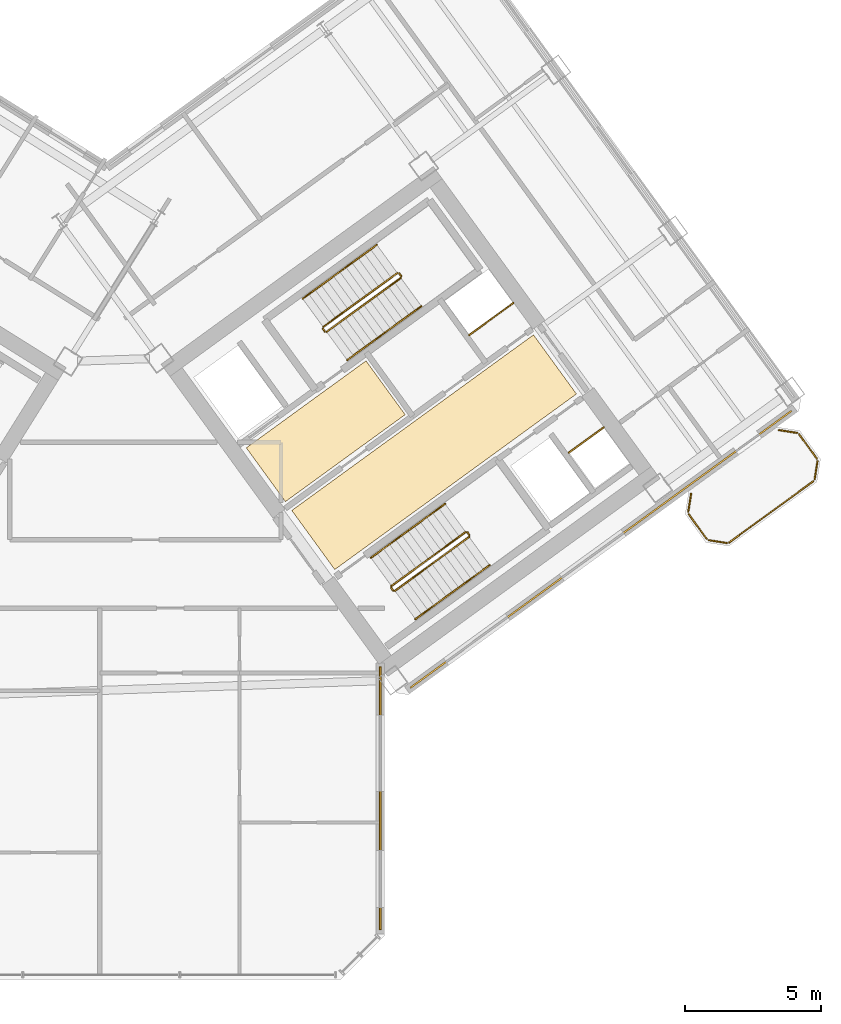
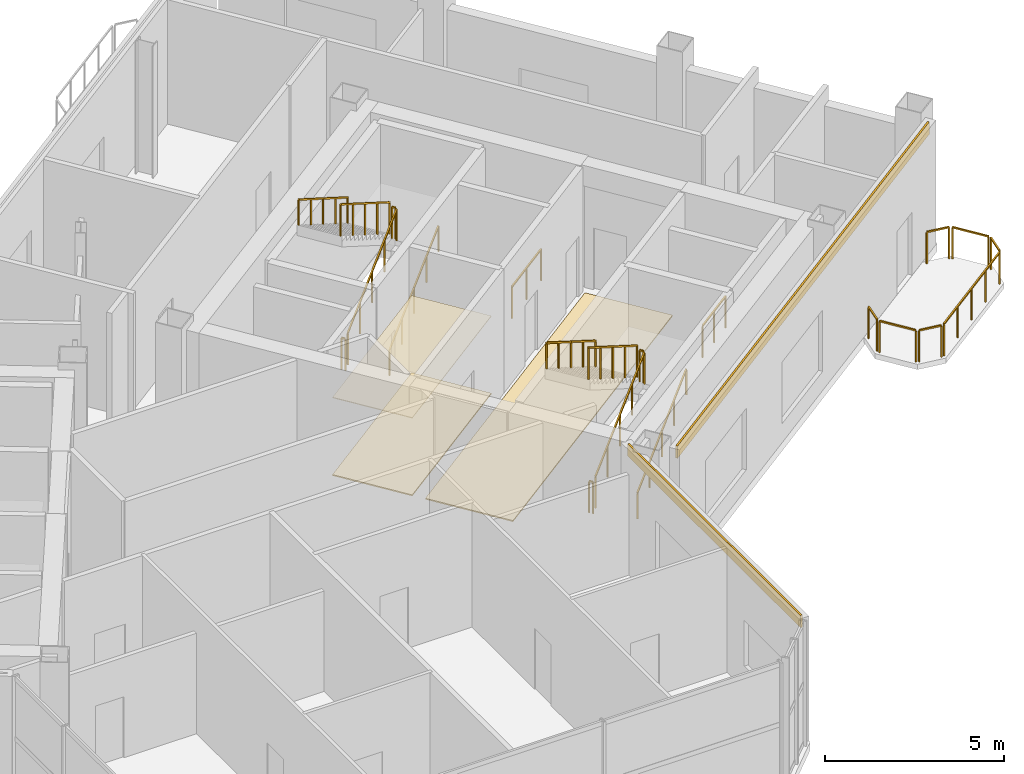
# One storey, part 20 of 21: 25 railings, 5 coverings.
"""IFC4 building model written with IfcOpenShell, lengths in metres."""

import ifcopenshell
import ifcopenshell.guid

model = None  # the IFC model being written
_history = None  # IfcOwnerHistory: only IFC2X3 demands one
_inside = {}  # id of a spatial element -> (the spatial element, [elements in it])
_under = {}  # id of a project, library or spatial element -> (it, [spatial elements below it])
_declared = {}  # id of a project -> (the project, [libraries it declares])
_typed = {}  # id of a type object -> (the type object, [elements of that type])
_made_of = {}  # id of a material, layer set ... -> (it, [elements and type objects made of it])


def new_model(schema):
    """Start an empty IFC model of exactly this schema.

    Asked for "IFC4X3", IfcOpenShell would pick the latest addendum, in which some entities
    have other attributes; the version numbers below select the first issue.
    IFC2X3 requires an IfcOwnerHistory on every rooted entity: one is made here for all.
    """
    global model, _history
    if schema == "IFC4X3":
        model = ifcopenshell.file(schema_version=(4, 3, 0, 0))
    else:
        model = ifcopenshell.file(schema=schema)
    _inside.clear()
    _under.clear()
    _declared.clear()
    _typed.clear()
    _made_of.clear()
    _history = None
    if model.schema == "IFC2X3":
        org = make("IfcOrganization", Name="unknown")
        user = make(
            "IfcPersonAndOrganization",
            ThePerson=make("IfcPerson", FamilyName="unknown"),
            TheOrganization=org,
        )
        app = make(
            "IfcApplication",
            ApplicationDeveloper=org,
            Version="unknown",
            ApplicationFullName="unknown",
            ApplicationIdentifier="unknown",
        )
        _history = make(
            "IfcOwnerHistory",
            OwningUser=user,
            OwningApplication=app,
            ChangeAction="ADDED",
            CreationDate=0,
        )
    return model


def make(cls, **values):
    """One entity of the class cls with the attributes given. An attribute that is None is left unset."""
    return model.create_entity(
        cls, **{name: value for name, value in values.items() if value is not None}
    )


def rooted(cls, **values):
    """An entity with a GlobalId (a new one), such as an element, a storey or a relation."""
    return make(cls, GlobalId=ifcopenshell.guid.new(), OwnerHistory=_history, **values)


def si_unit(unit_type, name, prefix=None):
    """IfcSIUnit, for example si_unit("LENGTHUNIT", "METRE", prefix="MILLI")."""
    return make("IfcSIUnit", UnitType=unit_type, Prefix=prefix, Name=name)


def assignment(units):
    """IfcUnitAssignment: the units of a project."""
    return None if units is None else make("IfcUnitAssignment", Units=units)


def point(xyz):
    """IfcCartesianPoint."""
    return None if xyz is None else make("IfcCartesianPoint", Coordinates=xyz)


def direction(xyz):
    """IfcDirection."""
    return None if xyz is None else make("IfcDirection", DirectionRatios=xyz)


def frame(location, z_axis=None, x_axis=None):
    """IfcAxis2Placement3D, a coordinate frame: its origin and axes. An axis left out is left unset."""
    return make(
        "IfcAxis2Placement3D",
        Location=point(location),
        Axis=direction(z_axis),
        RefDirection=direction(x_axis),
    )


def frame_2d(location, x_axis=None):
    """IfcAxis2Placement2D, a coordinate frame in the plane: its origin and x axis."""
    return make(
        "IfcAxis2Placement2D", Location=point(location), RefDirection=direction(x_axis)
    )


def origin():
    """The frame at (0, 0, 0) with its axes left unset."""
    return frame((0.0, 0.0, 0.0))


def origin_2d():
    """The frame at (0, 0) in the plane with its x axis left unset."""
    return frame_2d((0.0, 0.0))


def place(relative_to, where):
    """IfcLocalPlacement: puts the frame where relative to a parent placement (None: the world)."""
    return make(
        "IfcLocalPlacement", PlacementRelTo=relative_to, RelativePlacement=where
    )


def context(
    kind, dimensions, precision=None, world=None, true_north=None, identifier=None
):
    """IfcGeometricRepresentationContext, for example the 3D "Model" context."""
    return make(
        "IfcGeometricRepresentationContext",
        ContextIdentifier=identifier,
        ContextType=kind,
        CoordinateSpaceDimension=dimensions,
        Precision=precision,
        WorldCoordinateSystem=world,
        TrueNorth=true_north,
    )


def subcontext(parent, identifier, kind, view, scale=None):
    """IfcGeometricRepresentationSubContext, for example "Body" below "Model"."""
    return make(
        "IfcGeometricRepresentationSubContext",
        ContextIdentifier=identifier,
        ContextType=kind,
        ParentContext=parent,
        TargetScale=scale,
        TargetView=view,
    )


def project(units=None, contexts=None):
    """IfcProject with its units and contexts."""
    return rooted(
        "IfcProject",
        Name="project",
        RepresentationContexts=contexts,
        UnitsInContext=assignment(units),
    )


def spatial(cls, under=None, at=None, **own):
    """A site, building, storey or space (cls), placed at a placement, below another one or the project."""
    s = rooted(cls, ObjectPlacement=at, **own)
    if under is not None:
        _under.setdefault(under.id(), (under, []))[1].append(s)
    return s


def polyline(points):
    """IfcPolyline through the points."""
    return make("IfcPolyline", Points=[point(p) for p in points])


def profile(cls, at=None, kind="AREA", **sizes):
    """A parametric profile (cls). Its sizes go by their IFC names, for example OverallWidth=200.0."""
    return make(cls, ProfileType=kind, Position=at, **sizes)


def rectangle(**sizes):
    """IfcRectangleProfileDef."""
    return profile("IfcRectangleProfileDef", **sizes)


def outline(outer, holes=None, kind="AREA"):
    """IfcArbitraryClosedProfileDef: a profile drawn as a closed curve; with holes, ...WithVoids."""
    if holes is None:
        return make("IfcArbitraryClosedProfileDef", ProfileType=kind, OuterCurve=outer)
    return make(
        "IfcArbitraryProfileDefWithVoids",
        ProfileType=kind,
        OuterCurve=outer,
        InnerCurves=holes,
    )


def extrude(swept, where, along, depth):
    """IfcExtrudedAreaSolid: the profile swept, set in the frame where, extruded along a direction by depth."""
    return make(
        "IfcExtrudedAreaSolid",
        SweptArea=swept,
        Position=where,
        ExtrudedDirection=direction(along),
        Depth=depth,
    )


def shape(context_of_items, identifier, shape_type, items):
    """IfcShapeRepresentation: the items that make up one representation, for example the "Body"."""
    return make(
        "IfcShapeRepresentation",
        ContextOfItems=context_of_items,
        RepresentationIdentifier=identifier,
        RepresentationType=shape_type,
        Items=items,
    )


def source(mapping_origin, context_of_items, identifier, shape_type, items):
    """IfcRepresentationMap: a shape defined once, which mapped items show again and again."""
    return make(
        "IfcRepresentationMap",
        MappingOrigin=mapping_origin,
        MappedRepresentation=shape(context_of_items, identifier, shape_type, items),
    )


def transform(
    local_origin,
    x_axis=None,
    y_axis=None,
    z_axis=None,
    scale=None,
    scale2=None,
    scale3=None,
    uniform=True,
):
    """IfcCartesianTransformationOperator3D, or its non-uniform kind. x_axis, y_axis, z_axis: its Axis1, 2, 3."""
    if uniform:
        return make(
            "IfcCartesianTransformationOperator3D",
            Axis1=direction(x_axis),
            Axis2=direction(y_axis),
            LocalOrigin=point(local_origin),
            Scale=scale,
            Axis3=direction(z_axis),
        )
    return make(
        "IfcCartesianTransformationOperator3DnonUniform",
        Axis1=direction(x_axis),
        Axis2=direction(y_axis),
        LocalOrigin=point(local_origin),
        Scale=scale,
        Axis3=direction(z_axis),
        Scale2=scale2,
        Scale3=scale3,
    )


def mapped(mapping_source, mapping_target):
    """IfcMappedItem: shows the shape of a source again, moved by a transform."""
    return make(
        "IfcMappedItem", MappingSource=mapping_source, MappingTarget=mapping_target
    )


def material(Name=None, Category=None):
    """IfcMaterial."""
    return make("IfcMaterial", Name=Name, Category=Category)


def layer(
    of_material, thickness, ventilated=None, Name=None, Category=None, Priority=None
):
    """IfcMaterialLayer: one layer of a wall or slab, of a material (None: an air gap)."""
    return make(
        "IfcMaterialLayer",
        Material=of_material,
        LayerThickness=thickness,
        IsVentilated=ventilated,
        Name=Name,
        Category=Category,
        Priority=Priority,
    )


def layer_set(layers, Name=None):
    """IfcMaterialLayerSet."""
    return make("IfcMaterialLayerSet", MaterialLayers=layers, LayerSetName=Name)


def made_of(thing, what):
    """Note that an element or type object is made of a material, layer set ...; save() writes the relation."""
    if what is not None:
        _made_of.setdefault(what.id(), (what, []))[1].append(thing)
    return thing


def type_object(cls, material=None, **own):
    """A type object (cls), such as IfcWallType, which elements share."""
    return made_of(rooted(cls, **own), material)


def element(
    cls,
    number,
    at=None,
    inside=None,
    cuts=None,
    type_object=None,
    material=None,
    context=None,
    identifier="Body",
    shape_type=None,
    held_by="IfcProductDefinitionShape",
    body=None,
    shapes=None,
    **own,
):
    """One element of the class cls, such as IfcWall. Its Tag is "e" and its number.

    at: its placement. inside: the storey or other place that contains it. cuts: it is an
    opening in that element (IfcRelVoidsElement). A single representation is given by context,
    identifier, shape_type and body (its items); several are given by shapes. held_by: the class
    of the entity that holds the representations. save() writes the other relations.
    """
    e = rooted(cls, Tag="e%d" % number, ObjectPlacement=at, **own)
    if body is not None:
        shapes = [shape(context, identifier, shape_type, body)]
    if shapes is not None:
        e.Representation = make(held_by, Representations=shapes)
    if inside is not None:
        _inside.setdefault(inside.id(), (inside, []))[1].append(e)
    if cuts is not None:
        rooted(
            "IfcRelVoidsElement", RelatingBuildingElement=cuts, RelatedOpeningElement=e
        )
    if type_object is not None:
        _typed.setdefault(type_object.id(), (type_object, []))[1].append(e)
    return made_of(e, material)


def aggregate(whole, parts):
    """IfcRelAggregates: a whole, such as a stair, and the parts it consists of."""
    return rooted("IfcRelAggregates", RelatingObject=whole, RelatedObjects=parts)


def save(model, path):
    """Write the relations noted so far, then the file.

    IfcRelAggregates (storeys below a building ...), IfcRelContainedInSpatialStructure (elements
    in a storey), IfcRelDefinesByType, IfcRelAssociatesMaterial and IfcRelDeclares: one each for
    every whole, place, type object, material and project.
    """
    for whole, parts in _under.values():
        aggregate(whole, parts)
    for where, things in _inside.values():
        rooted(
            "IfcRelContainedInSpatialStructure",
            RelatedElements=things,
            RelatingStructure=where,
        )
    for kind, things in _typed.values():
        rooted("IfcRelDefinesByType", RelatedObjects=things, RelatingType=kind)
    for what, things in _made_of.values():
        rooted("IfcRelAssociatesMaterial", RelatedObjects=things, RelatingMaterial=what)
    for by, libraries in _declared.values():
        rooted("IfcRelDeclares", RelatingContext=by, RelatedDefinitions=libraries)
    model.write(path)


model = new_model("IFC4")

# Units and contexts
model_context = context("Model", 3, precision=1e-05, world=origin(), true_north=direction((0.0, 1.0)))
body_context = subcontext(model_context, "Body", "Model", "MODEL_VIEW")
ifc_project = project(units=[si_unit("LENGTHUNIT", "METRE"), si_unit("AREAUNIT", "SQUARE_METRE"), si_unit("VOLUMEUNIT", "CUBIC_METRE"), si_unit("PLANEANGLEUNIT", "RADIAN"), si_unit("MASSUNIT", "GRAM", prefix="KILO")], contexts=[model_context])

# Site, building, storey
site_placement = place(None, origin())
site = spatial("IfcSite", under=ifc_project, at=site_placement, CompositionType="ELEMENT")
building_placement = place(site_placement, origin())
building = spatial("IfcBuilding", under=site, at=building_placement, Name="Tlacorven Tower", CompositionType="ELEMENT")
storey_placement = place(building_placement, frame((0.0, 0.0, 199.5)))
storey = spatial("IfcBuildingStorey", under=building, at=storey_placement, Name="L50", CompositionType="ELEMENT", Elevation=199.5)

# Coverings
ifc_material_1 = material(Name="Acoustic mineral-fibre ceiling")
ifc_layer_1 = layer(ifc_material_1, 0.02490234375)
ifc_layer_set_1 = layer_set([ifc_layer_1], Name="Acoustic mineral-fibre ceiling")
covering_type_1 = type_object("IfcCoveringType", Name="CV-CLG-ACST", PredefinedType="CEILING", material=ifc_layer_set_1)
covering_1_placement = place(storey_placement, frame((0.0, 0.0, 2.64990234375)))
element("IfcCovering", 1, at=covering_1_placement, inside=storey, type_object=covering_type_1, Name="L50 Acoustic Suspended Ceiling 3", PredefinedType="CEILING", context=body_context, shape_type="SweptSolid", body=[
    extrude(outline(polyline([(48.760498046875, 19.326171875), (47.326171875, 21.300048828125), (51.71923828125, 24.49169921875), (53.1533203125, 22.517822265625), (48.760498046875, 19.326171875)])), origin(), (0.0, 0.0, 1.0), 0.025146484375),
])
ifc_material_2 = material(Name="Terrazzo and ceramic flooring")
ifc_layer_2 = layer(ifc_material_2, 0.0400390625)
ifc_layer_set_2 = layer_set([ifc_layer_2], Name="Terrazzo and ceramic flooring")
covering_type_2 = type_object("IfcCoveringType", Name="CV-FLR-TERZ", PredefinedType="FLOORING", material=ifc_layer_set_2)
covering_2_placement = place(storey_placement, origin())
element("IfcCovering", 2, at=covering_2_placement, inside=storey, type_object=covering_type_2, Name="L50 Terrazzo Floor Finish 3", PredefinedType="FLOORING", context=body_context, shape_type="SweptSolid", body=[
    extrude(outline(polyline([(48.760498046875, 19.326171875), (47.326171875, 21.300048828125), (51.71923828125, 24.49169921875), (53.1533203125, 22.517822265625), (48.760498046875, 19.326171875)])), origin(), (0.0, 0.0, 1.0), 0.0400390625),
])
covering_3_placement = place(storey_placement, origin())
element("IfcCovering", 3, at=covering_3_placement, inside=storey, type_object=covering_type_2, Name="L50 Terrazzo Floor Finish 4", PredefinedType="FLOORING", context=body_context, shape_type="SweptSolid", body=[
    extrude(outline(polyline([(50.57080078125, 16.834228515625), (48.99560546875, 19.00244140625), (57.8623046875, 25.444580078125), (59.437744140625, 23.2763671875), (50.57080078125, 16.834228515625)])), origin(), (0.0, 0.0, 1.0), 0.0400390625),
])

# Railings
ifc_material_3 = material(Name="Aluminium and painted steel balustrade", Category="steel")
railing_type_1 = type_object("IfcRailingType", Name="RL-GRD-1100", PredefinedType="GUARDRAIL", material=ifc_material_3)
shared_shape_1 = source(origin(), body_context, "Body", "SweptSolid", [
    extrude(rectangle(XDim=0.048095703125, YDim=0.048095703125, at=origin_2d()), frame((0.0, 0.0, 1.076171875), z_axis=(0.808947177504, 0.587881334972, 0.0), x_axis=(-0.587881334972, 0.808947177504, 0.0)), (0.0, 0.0, 1.0), 2.0),
    extrude(rectangle(XDim=0.0419921875, YDim=0.0419921875, at=origin_2d()), origin(), (0.0, 0.0, 1.0), 1.052001953125),
    extrude(rectangle(XDim=0.0419921875, YDim=0.0419921875, at=origin_2d()), frame((0.80908203125, 0.587890625, 0.0)), (0.0, 0.0, 1.0), 1.052001953125),
    extrude(rectangle(XDim=0.0419921875, YDim=0.0419921875, at=origin_2d()), frame((1.617919921875, 1.17578125, 0.0)), (0.0, 0.0, 1.0), 1.052001953125),
])
railing_1_placement = place(storey_placement, frame((55.506103515625, 25.438232421875, 0.0)))
element("IfcRailing", 4, at=railing_1_placement, inside=storey, type_object=railing_type_1, Name="L50 Electrical Riser E Shaft Guard 1", PredefinedType="GUARDRAIL", context=body_context, shape_type="MappedRepresentation", body=[
    mapped(shared_shape_1, transform((0.0, 0.0, 0.0), scale=1.0)),
])
shared_shape_2 = source(origin(), body_context, "Body", "SweptSolid", [
    extrude(rectangle(XDim=0.048095703125, YDim=0.048095703125, at=origin_2d()), frame((0.0, 0.0, 1.076171875), z_axis=(0.809029975545, 0.58776738483, 0.0), x_axis=(-0.58776738483, 0.809029975545, 0.0)), (0.0, 0.0, 1.0), 1.580078125),
    extrude(rectangle(XDim=0.0419921875, YDim=0.0419921875, at=origin_2d()), origin(), (0.0, 0.0, 1.0), 1.052001953125),
    extrude(rectangle(XDim=0.0419921875, YDim=0.0419921875, at=origin_2d()), frame((0.63916015625, 0.46435546875, 0.0)), (0.0, 0.0, 1.0), 1.052001953125),
    extrude(rectangle(XDim=0.0419921875, YDim=0.0419921875, at=origin_2d()), frame((1.2783203125, 0.9287109375, 0.0)), (0.0, 0.0, 1.0), 1.052001953125),
])
railing_2_placement = place(storey_placement, frame((59.160888671875, 21.122314453125, 0.0)))
element("IfcRailing", 5, at=railing_2_placement, inside=storey, type_object=railing_type_1, Name="L50 Smoke Riser E Shaft Guard 1", PredefinedType="GUARDRAIL", context=body_context, shape_type="MappedRepresentation", body=[
    mapped(shared_shape_2, transform((0.0, 0.0, 0.0), scale=1.0)),
])
railing_type_2 = type_object("IfcRailingType", Name="RL-BAL-1100", PredefinedType="BALUSTRADE", material=ifc_material_3)
shared_shape_3 = source(origin(), body_context, "Body", "SweptSolid", [
    extrude(rectangle(XDim=0.048095703125, YDim=0.048095703125, at=origin_2d()), frame((0.0, 0.0, 1.076171875), z_axis=(0.156602868908, 0.987661653326, 0.0), x_axis=(-0.987661653326, 0.156602868908, 0.0)), (0.0, 0.0, 1.0), 0.665771484375),
    extrude(rectangle(XDim=0.0419921875, YDim=0.0419921875, at=origin_2d()), origin(), (0.0, 0.0, 1.0), 1.052001953125),
    extrude(rectangle(XDim=0.0419921875, YDim=0.0419921875, at=origin_2d()), frame((0.104248046875, 0.657470703125, 0.0)), (0.0, 0.0, 1.0), 1.052001953125),
])
railing_3_placement = place(storey_placement, frame((63.539306640625, 18.949951171875, 0.0)))
element("IfcRailing", 6, at=railing_3_placement, inside=storey, type_object=railing_type_2, Name="BAL-L50-E-OUT Guard Railing 3", PredefinedType="BALUSTRADE", context=body_context, shape_type="MappedRepresentation", body=[
    mapped(shared_shape_3, transform((0.0, 0.0, 0.0), scale=1.0)),
])
shared_shape_4 = source(origin(), body_context, "Body", "SweptSolid", [
    extrude(rectangle(XDim=0.048095703125, YDim=0.048095703125, at=origin_2d()), frame((0.0, 0.0, 1.076171875), z_axis=(0.58788449985, -0.808944877501, 0.0), x_axis=(0.808944877501, 0.58788449985, 0.0)), (0.0, 0.0, 1.0), 1.112060546875),
    extrude(rectangle(XDim=0.0419921875, YDim=0.0419921875, at=origin_2d()), origin(), (0.0, 0.0, 1.0), 1.052001953125),
    extrude(rectangle(XDim=0.0419921875, YDim=0.0419921875, at=origin_2d()), frame((0.65380859375, -0.899658203125, 0.0)), (0.0, 0.0, 1.0), 1.052001953125),
])
railing_4_placement = place(storey_placement, frame((67.60595703125, 21.799072265625, 0.0)))
element("IfcRailing", 7, at=railing_4_placement, inside=storey, type_object=railing_type_2, Name="BAL-L50-E-OUT Guard Railing 5", PredefinedType="BALUSTRADE", context=body_context, shape_type="MappedRepresentation", body=[
    mapped(shared_shape_4, transform((0.0, 0.0, 0.0), scale=1.0)),
])
shared_shape_5 = source(origin(), body_context, "Body", "SweptSolid", [
    extrude(rectangle(XDim=0.048095703125, YDim=0.048095703125, at=origin_2d()), frame((0.0, 0.0, 1.076171875), z_axis=(-0.809018102573, -0.587783726986, 0.0), x_axis=(0.587783726986, -0.809018102573, 0.0)), (0.0, 0.0, 1.0), 3.817138671875),
    extrude(rectangle(XDim=0.0419921875, YDim=0.0419921875, at=origin_2d()), origin(), (0.0, 0.0, 1.0), 1.052001953125),
    extrude(rectangle(XDim=0.0419921875, YDim=0.0419921875, at=origin_2d()), frame((-0.77197265625, -0.56103515625, 0.0)), (0.0, 0.0, 1.0), 1.052001953125),
    extrude(rectangle(XDim=0.0419921875, YDim=0.0419921875, at=origin_2d()), frame((-1.5439453125, -1.121826171875, 0.0)), (0.0, 0.0, 1.0), 1.052001953125),
    extrude(rectangle(XDim=0.0419921875, YDim=0.0419921875, at=origin_2d()), frame((-2.316162109375, -1.6826171875, 0.0)), (0.0, 0.0, 1.0), 1.052001953125),
    extrude(rectangle(XDim=0.0419921875, YDim=0.0419921875, at=origin_2d()), frame((-3.088134765625, -2.24365234375, 0.0)), (0.0, 0.0, 1.0), 1.052001953125),
])
railing_5_placement = place(storey_placement, frame((68.12890625, 20.0732421875, 0.0)))
element("IfcRailing", 8, at=railing_5_placement, inside=storey, type_object=railing_type_2, Name="BAL-L50-E-OUT Guard Railing 7", PredefinedType="BALUSTRADE", context=body_context, shape_type="MappedRepresentation", body=[
    mapped(shared_shape_5, transform((0.0, 0.0, 0.0), scale=1.0)),
])
shared_shape_6 = source(origin(), body_context, "Body", "SweptSolid", [
    extrude(rectangle(XDim=0.048095703125, YDim=0.048095703125, at=origin_2d()), frame((0.0, 0.0, 1.076171875), z_axis=(-0.987718317463, 0.156245081039, 0.0), x_axis=(-0.156245081039, -0.987718317463, 0.0)), (0.0, 0.0, 1.0), 0.66552734375),
    extrude(rectangle(XDim=0.0419921875, YDim=0.0419921875, at=origin_2d()), origin(), (0.0, 0.0, 1.0), 1.052001953125),
    extrude(rectangle(XDim=0.0419921875, YDim=0.0419921875, at=origin_2d()), frame((-0.657470703125, 0.10400390625, 0.0)), (0.0, 0.0, 1.0), 1.052001953125),
])
railing_6_placement = place(storey_placement, frame((64.950927734375, 17.80810546875, 0.0)))
element("IfcRailing", 9, at=railing_6_placement, inside=storey, type_object=railing_type_2, Name="BAL-L50-E-OUT Guard Railing 1", PredefinedType="BALUSTRADE", context=body_context, shape_type="MappedRepresentation", body=[
    mapped(shared_shape_6, transform((0.0, 0.0, 0.0), scale=1.0)),
])
shared_shape_7 = source(origin(), body_context, "Body", "SweptSolid", [
    extrude(rectangle(XDim=0.048095703125, YDim=0.048095703125, at=origin_2d()), frame((0.0, 0.0, 1.076171875), z_axis=(-0.587740817519, 0.809049276263, 0.0), x_axis=(-0.809049276263, -0.587740817519, 0.0)), (0.0, 0.0, 1.0), 1.112060546875),
    extrude(rectangle(XDim=0.0419921875, YDim=0.0419921875, at=origin_2d()), origin(), (0.0, 0.0, 1.0), 1.052001953125),
    extrude(rectangle(XDim=0.0419921875, YDim=0.0419921875, at=origin_2d()), frame((-0.653564453125, 0.899658203125, 0.0)), (0.0, 0.0, 1.0), 1.052001953125),
])
railing_7_placement = place(storey_placement, frame((64.214599609375, 17.96044921875, 0.0)))
element("IfcRailing", 10, at=railing_7_placement, inside=storey, type_object=railing_type_2, Name="BAL-L50-E-OUT Guard Railing 2", PredefinedType="BALUSTRADE", context=body_context, shape_type="MappedRepresentation", body=[
    mapped(shared_shape_7, transform((0.0, 0.0, 0.0), scale=1.0)),
])
shared_shape_8 = source(origin(), body_context, "Body", "SweptSolid", [
    extrude(rectangle(XDim=0.048095703125, YDim=0.048095703125, at=origin_2d()), frame((0.0, 0.0, 1.076171875), z_axis=(-0.156245081039, -0.987718317463, 0.0), x_axis=(0.987718317463, -0.156245081039, 0.0)), (0.0, 0.0, 1.0), 0.66552734375),
    extrude(rectangle(XDim=0.0419921875, YDim=0.0419921875, at=origin_2d()), origin(), (0.0, 0.0, 1.0), 1.052001953125),
    extrude(rectangle(XDim=0.0419921875, YDim=0.0419921875, at=origin_2d()), frame((-0.10400390625, -0.657470703125, 0.0)), (0.0, 0.0, 1.0), 1.052001953125),
])
railing_8_placement = place(storey_placement, frame((68.28125, 20.8095703125, 0.0)))
element("IfcRailing", 11, at=railing_8_placement, inside=storey, type_object=railing_type_2, Name="BAL-L50-E-OUT Guard Railing 6", PredefinedType="BALUSTRADE", context=body_context, shape_type="MappedRepresentation", body=[
    mapped(shared_shape_8, transform((0.0, 0.0, 0.0), scale=1.0)),
])

# Covering
ifc_material_4 = material(Name="Precast concrete C45/55", Category="concrete")
ifc_layer_3 = layer(ifc_material_4, 0.06005859375)
ifc_layer_set_3 = layer_set([ifc_layer_3], Name="Precast concrete C45/55")
covering_type_3 = type_object("IfcCoveringType", Name="CV-CLD-TERC", PredefinedType="CLADDING", material=ifc_layer_set_3)
shared_shape_9 = source(origin(), body_context, "Body", "SweptSolid", [
    extrude(rectangle(XDim=17.287353515625, YDim=0.06005859375, at=origin_2d()), origin(), (0.0, 0.0, 1.0), 0.419921875),
])
covering_4_placement = place(storey_placement, frame((60.339111328125, 17.578125, 3.830078125), z_axis=(0.0, 0.0, 1.0), x_axis=(-0.809016829126, -0.587785479738, 0.0)))
element("IfcCovering", 12, at=covering_4_placement, inside=storey, type_object=covering_type_3, Name="L50 Masonry-Frame Spandrel Cladding 6", PredefinedType="CLADDING", context=body_context, shape_type="MappedRepresentation", body=[
    mapped(shared_shape_9, transform((0.0, 0.0, 0.0), scale=1.0)),
])

# Railing
shared_shape_10 = source(origin(), body_context, "Body", "SweptSolid", [
    extrude(rectangle(XDim=0.048095703125, YDim=0.048095703125, at=origin_2d()), frame((0.0, 0.0, 1.076171875), z_axis=(0.987727266442, -0.156188498702, 0.0), x_axis=(0.156188498702, 0.987727266442, 0.0)), (0.0, 0.0, 1.0), 0.665771484375),
    extrude(rectangle(XDim=0.0419921875, YDim=0.0419921875, at=origin_2d()), origin(), (0.0, 0.0, 1.0), 1.052001953125),
    extrude(rectangle(XDim=0.0419921875, YDim=0.0419921875, at=origin_2d()), frame((0.65771484375, -0.10400390625, 0.0)), (0.0, 0.0, 1.0), 1.052001953125),
])
railing_9_placement = place(storey_placement, frame((66.86962890625, 21.951416015625, 0.0)))
element("IfcRailing", 13, at=railing_9_placement, inside=storey, type_object=railing_type_2, Name="BAL-L50-E-OUT Guard Railing 4", PredefinedType="BALUSTRADE", context=body_context, shape_type="MappedRepresentation", body=[
    mapped(shared_shape_10, transform((0.0, 0.0, 0.0), scale=1.0)),
])

# Covering
shared_shape_11 = source(origin(), body_context, "Body", "SweptSolid", [
    extrude(rectangle(XDim=9.647705078125, YDim=0.06005859375, at=origin_2d()), origin(), (0.0, 0.0, 1.0), 0.419921875),
])
covering_5_placement = place(storey_placement, frame((52.239990234375, 8.440185546875, 3.830078125), z_axis=(0.0, 0.0, 1.0), x_axis=(0.0, -1.0, 0.0)))
element("IfcCovering", 14, at=covering_5_placement, inside=storey, type_object=covering_type_3, Name="L50 Masonry-Frame Spandrel Cladding 7", PredefinedType="CLADDING", context=body_context, shape_type="MappedRepresentation", body=[
    mapped(shared_shape_11, transform((0.0, 0.0, 0.0), scale=1.0)),
])

# Railings
shared_shape_12 = source(origin(), body_context, "Body", "SweptSolid", [
    extrude(rectangle(XDim=0.048095703125, YDim=0.048095703125, at=origin_2d()), frame((0.0, 0.0, 1.076171875), z_axis=(-0.587567097037, 0.809175448515, 0.0), x_axis=(-0.809175448515, -0.587567097037, 0.0)), (0.0, 0.0, 1.0), 0.1201171875),
    extrude(rectangle(XDim=0.0419921875, YDim=0.0419921875, at=origin_2d()), origin(), (0.0, 0.0, 1.0), 1.052001953125),
    extrude(rectangle(XDim=0.0419921875, YDim=0.0419921875, at=origin_2d()), frame((-0.070556640625, 0.09716796875, 0.0)), (0.0, 0.0, 1.0), 1.052001953125),
])
for number, where, name in (
    (15, (53.006591796875, 27.6025390625, 2.25), "L50 ST-E1 stair guard 2"),
    (16, (55.510498046875, 18.099365234375, 2.25), "L50 ST-E2 stair guard 2"),
    (17, (52.71142578125, 16.065673828125, 0.0), "L50 ST-E2 stair guard 4"),
):
    element("IfcRailing", number, at=place(storey_placement, frame(where)), inside=storey, type_object=railing_type_1, Name=name, PredefinedType="GUARDRAIL", context=body_context, shape_type="MappedRepresentation", body=[
        mapped(shared_shape_12, transform((0.0, 0.0, 0.0), scale=1.0)),
    ])
shared_shape_13 = source(origin(), body_context, "Body", "SweptSolid", [
    extrude(rectangle(XDim=0.048095703125, YDim=0.048095703125, at=origin_2d()), frame((0.0, 0.0, 1.076171875), z_axis=(-0.587201422542, 0.809440849824, 0.0), x_axis=(-0.809440849824, -0.587201422542, 0.0)), (0.0, 0.0, 1.0), 0.11962890625),
    extrude(rectangle(XDim=0.0419921875, YDim=0.0419921875, at=origin_2d()), origin(), (0.0, 0.0, 1.0), 1.052001953125),
    extrude(rectangle(XDim=0.0419921875, YDim=0.0419921875, at=origin_2d()), frame((-0.0703125, 0.096923828125, 0.0)), (0.0, 0.0, 1.0), 1.052001953125),
])
railing_10_placement = place(storey_placement, frame((50.207275390625, 25.56884765625, 0.0)))
element("IfcRailing", 18, at=railing_10_placement, inside=storey, type_object=railing_type_1, Name="L50 ST-E1 stair guard 4", PredefinedType="GUARDRAIL", context=body_context, shape_type="MappedRepresentation", body=[
    mapped(shared_shape_13, transform((0.0, 0.0, 0.0), scale=1.0)),
])
shared_shape_14 = source(origin(), body_context, "Body", "SweptSolid", [
    extrude(rectangle(XDim=0.048095703125, YDim=0.048095703125, at=origin_2d()), frame((0.0, 0.0, 1.076171875), z_axis=(0.688166980386, 0.499962520599, 0.525798141023), x_axis=(-0.587769819143, 0.809028206989, 0.0)), (0.0, 0.0, 1.0), 3.949951171875),
    extrude(rectangle(XDim=0.0419921875, YDim=0.0419921875, at=origin_2d()), origin(), (0.0, 0.0, 1.0), 1.052001953125),
    extrude(rectangle(XDim=0.0419921875, YDim=0.0419921875, at=origin_2d()), frame((0.6796875, 0.49365234375, 0.519287109375)), (0.0, 0.0, 1.0), 1.052001953125),
    extrude(rectangle(XDim=0.0419921875, YDim=0.0419921875, at=origin_2d()), frame((1.359130859375, 0.9873046875, 1.03857421875)), (0.0, 0.0, 1.0), 1.052001953125),
    extrude(rectangle(XDim=0.0419921875, YDim=0.0419921875, at=origin_2d()), frame((2.03857421875, 1.481201171875, 1.5576171875)), (0.0, 0.0, 1.0), 1.052001953125),
    extrude(rectangle(XDim=0.0419921875, YDim=0.0419921875, at=origin_2d()), frame((2.71826171875, 1.974853515625, 2.076904296875)), (0.0, 0.0, 1.0), 1.052001953125),
])
for number, where, name in (
    (19, (50.27734375, 25.557861328125, 0.173095703125), "L50 ST-E1 stair guard 1"),
    (20, (52.78125, 16.0546875, 0.173095703125), "L50 ST-E2 stair guard 1"),
):
    element("IfcRailing", number, at=place(storey_placement, frame(where)), inside=storey, type_object=railing_type_1, Name=name, PredefinedType="GUARDRAIL", context=body_context, shape_type="MappedRepresentation", body=[
        mapped(shared_shape_14, transform((0.0, 0.0, 0.0), scale=1.0)),
    ])
shared_shape_15 = source(origin(), body_context, "Body", "SweptSolid", [
    extrude(rectangle(XDim=0.048095703125, YDim=0.048095703125, at=origin_2d()), frame((0.0, 0.0, 1.076171875), z_axis=(-0.688166980386, -0.499962520599, 0.525798141023), x_axis=(0.587769819143, -0.809028206989, 0.0)), (0.0, 0.0, 1.0), 3.949951171875),
    extrude(rectangle(XDim=0.0419921875, YDim=0.0419921875, at=origin_2d()), origin(), (0.0, 0.0, 1.0), 1.052001953125),
    extrude(rectangle(XDim=0.0419921875, YDim=0.0419921875, at=origin_2d()), frame((-0.6796875, -0.49365234375, 0.519287109375)), (0.0, 0.0, 1.0), 1.052001953125),
    extrude(rectangle(XDim=0.0419921875, YDim=0.0419921875, at=origin_2d()), frame((-1.359130859375, -0.9873046875, 1.03857421875)), (0.0, 0.0, 1.0), 1.052001953125),
    extrude(rectangle(XDim=0.0419921875, YDim=0.0419921875, at=origin_2d()), frame((-2.03857421875, -1.481201171875, 1.5576171875)), (0.0, 0.0, 1.0), 1.052001953125),
    extrude(rectangle(XDim=0.0419921875, YDim=0.0419921875, at=origin_2d()), frame((-2.71826171875, -1.974853515625, 2.076904296875)), (0.0, 0.0, 1.0), 1.052001953125),
])
for number, where, name in (
    (21, (52.8662109375, 27.710693359375, 2.423095703125), "L50 ST-E1 stair guard 3"),
    (22, (55.3701171875, 18.20751953125, 2.423095703125), "L50 ST-E2 stair guard 3"),
):
    element("IfcRailing", number, at=place(storey_placement, frame(where)), inside=storey, type_object=railing_type_1, Name=name, PredefinedType="GUARDRAIL", context=body_context, shape_type="MappedRepresentation", body=[
        mapped(shared_shape_15, transform((0.0, 0.0, 0.0), scale=1.0)),
    ])
railing_type_3 = type_object("IfcRailingType", Name="RL-HND-0900", PredefinedType="HANDRAIL", material=ifc_material_3)
shared_shape_16 = source(origin(), body_context, "Body", "SweptSolid", [
    extrude(rectangle(XDim=0.048095703125, YDim=0.048095703125, at=origin_2d()), frame((0.0, 0.0, 0.8759765625), z_axis=(0.688123352181, 0.499992627909, 0.525826610414), x_axis=(-0.587817375869, 0.808993654256, 0.0)), (0.0, 0.0, 1.0), 1.97509765625),
    extrude(rectangle(XDim=0.0419921875, YDim=0.0419921875, at=origin_2d()), origin(), (0.0, 0.0, 1.0), 0.851806640625),
    extrude(rectangle(XDim=0.0419921875, YDim=0.0419921875, at=origin_2d()), frame((0.6796875, 0.49365234375, 0.519287109375)), (0.0, 0.0, 1.0), 0.851806640625),
    extrude(rectangle(XDim=0.0419921875, YDim=0.0419921875, at=origin_2d()), frame((1.359130859375, 0.987548828125, 1.03857421875)), (0.0, 0.0, 1.0), 0.851806640625),
])
railing_11_placement = place(storey_placement, frame((54.892822265625, 16.006591796875, 1.21142578125)))
element("IfcRailing", 23, at=railing_11_placement, inside=storey, type_object=railing_type_3, Name="L50 ST-E2 stair handrail 2", PredefinedType="HANDRAIL", context=body_context, shape_type="MappedRepresentation", body=[
    mapped(shared_shape_16, transform((0.0, 0.0, 0.0), scale=1.0)),
])
shared_shape_17 = source(origin(), body_context, "Body", "SweptSolid", [
    extrude(rectangle(XDim=0.048095703125, YDim=0.048095703125, at=origin_2d()), frame((0.0, 0.0, 0.8759765625), z_axis=(-0.688123352181, -0.499992627909, 0.525826610414), x_axis=(0.587817375869, -0.808993654256, 0.0)), (0.0, 0.0, 1.0), 1.97509765625),
    extrude(rectangle(XDim=0.0419921875, YDim=0.0419921875, at=origin_2d()), origin(), (0.0, 0.0, 1.0), 0.851806640625),
    extrude(rectangle(XDim=0.0419921875, YDim=0.0419921875, at=origin_2d()), frame((-0.6796875, -0.49365234375, 0.519287109375)), (0.0, 0.0, 1.0), 0.851806640625),
    extrude(rectangle(XDim=0.0419921875, YDim=0.0419921875, at=origin_2d()), frame((-1.359130859375, -0.987548828125, 1.03857421875)), (0.0, 0.0, 1.0), 0.851806640625),
])
for number, where, name in (
    (24, (50.754638671875, 27.7587890625, 3.46142578125), "L50 ST-E1 stair handrail 4"),
    (25, (53.2587890625, 18.255615234375, 3.46142578125), "L50 ST-E2 stair handrail 4"),
):
    element("IfcRailing", number, at=place(storey_placement, frame(where)), inside=storey, type_object=railing_type_3, Name=name, PredefinedType="HANDRAIL", context=body_context, shape_type="MappedRepresentation", body=[
        mapped(shared_shape_17, transform((0.0, 0.0, 0.0), scale=1.0)),
    ])
shared_shape_18 = source(origin(), body_context, "Body", "SweptSolid", [
    extrude(rectangle(XDim=0.048095703125, YDim=0.048095703125, at=origin_2d()), frame((0.0, 0.0, 0.8759765625), z_axis=(-0.688168076653, -0.500025124854, 0.525737170829), x_axis=(0.587817375869, -0.808993654256, 0.0)), (0.0, 0.0, 1.0), 1.97509765625),
    extrude(rectangle(XDim=0.0419921875, YDim=0.0419921875, at=origin_2d()), origin(), (0.0, 0.0, 1.0), 0.851806640625),
    extrude(rectangle(XDim=0.0419921875, YDim=0.0419921875, at=origin_2d()), frame((-0.6796875, -0.49365234375, 0.51904296875)), (0.0, 0.0, 1.0), 0.851806640625),
    extrude(rectangle(XDim=0.0419921875, YDim=0.0419921875, at=origin_2d()), frame((-1.359130859375, -0.987548828125, 1.038330078125)), (0.0, 0.0, 1.0), 0.851806640625),
])
for number, where, name in (
    (26, (52.11376953125, 28.746337890625, 2.423095703125), "L50 ST-E1 stair handrail 3"),
    (27, (54.617919921875, 19.2431640625, 2.423095703125), "L50 ST-E2 stair handrail 3"),
):
    element("IfcRailing", number, at=place(storey_placement, frame(where)), inside=storey, type_object=railing_type_3, Name=name, PredefinedType="HANDRAIL", context=body_context, shape_type="MappedRepresentation", body=[
        mapped(shared_shape_18, transform((0.0, 0.0, 0.0), scale=1.0)),
    ])
shared_shape_19 = source(origin(), body_context, "Body", "SweptSolid", [
    extrude(rectangle(XDim=0.048095703125, YDim=0.048095703125, at=origin_2d()), frame((0.0, 0.0, 0.8759765625), z_axis=(0.688168076653, 0.500025124854, 0.525737170829), x_axis=(-0.587817375869, 0.808993654256, 0.0)), (0.0, 0.0, 1.0), 1.97509765625),
    extrude(rectangle(XDim=0.0419921875, YDim=0.0419921875, at=origin_2d()), origin(), (0.0, 0.0, 1.0), 0.851806640625),
    extrude(rectangle(XDim=0.0419921875, YDim=0.0419921875, at=origin_2d()), frame((0.6796875, 0.49365234375, 0.51904296875)), (0.0, 0.0, 1.0), 0.851806640625),
    extrude(rectangle(XDim=0.0419921875, YDim=0.0419921875, at=origin_2d()), frame((1.359130859375, 0.987548828125, 1.038330078125)), (0.0, 0.0, 1.0), 0.851806640625),
])
for number, where, name in (
    (28, (51.029541015625, 24.522216796875, 0.173095703125), "L50 ST-E1 stair handrail 1"),
    (29, (53.53369140625, 15.01904296875, 0.173095703125), "L50 ST-E2 stair handrail 1"),
):
    element("IfcRailing", number, at=place(storey_placement, frame(where)), inside=storey, type_object=railing_type_3, Name=name, PredefinedType="HANDRAIL", context=body_context, shape_type="MappedRepresentation", body=[
        mapped(shared_shape_19, transform((0.0, 0.0, 0.0), scale=1.0)),
    ])
shared_shape_20 = source(origin(), body_context, "Body", "SweptSolid", [
    extrude(rectangle(XDim=0.048095703125, YDim=0.048095703125, at=origin_2d()), frame((0.0, 0.0, 0.8759765625), z_axis=(0.688165878867, 0.499899912725, 0.525859107006), x_axis=(-0.587722256323, 0.809062759879, 0.0)), (0.0, 0.0, 1.0), 1.97509765625),
    extrude(rectangle(XDim=0.0419921875, YDim=0.0419921875, at=origin_2d()), origin(), (0.0, 0.0, 1.0), 0.851806640625),
    extrude(rectangle(XDim=0.0419921875, YDim=0.0419921875, at=origin_2d()), frame((0.6796875, 0.49365234375, 0.519287109375)), (0.0, 0.0, 1.0), 0.851806640625),
    extrude(rectangle(XDim=0.0419921875, YDim=0.0419921875, at=origin_2d()), frame((1.359130859375, 0.9873046875, 1.03857421875)), (0.0, 0.0, 1.0), 0.851806640625),
])
railing_12_placement = place(storey_placement, frame((52.388671875, 25.509765625, 1.21142578125)))
element("IfcRailing", 30, at=railing_12_placement, inside=storey, type_object=railing_type_3, Name="L50 ST-E1 stair handrail 2", PredefinedType="HANDRAIL", context=body_context, shape_type="MappedRepresentation", body=[
    mapped(shared_shape_20, transform((0.0, 0.0, 0.0), scale=1.0)),
])

save(model, "model.ifc")
